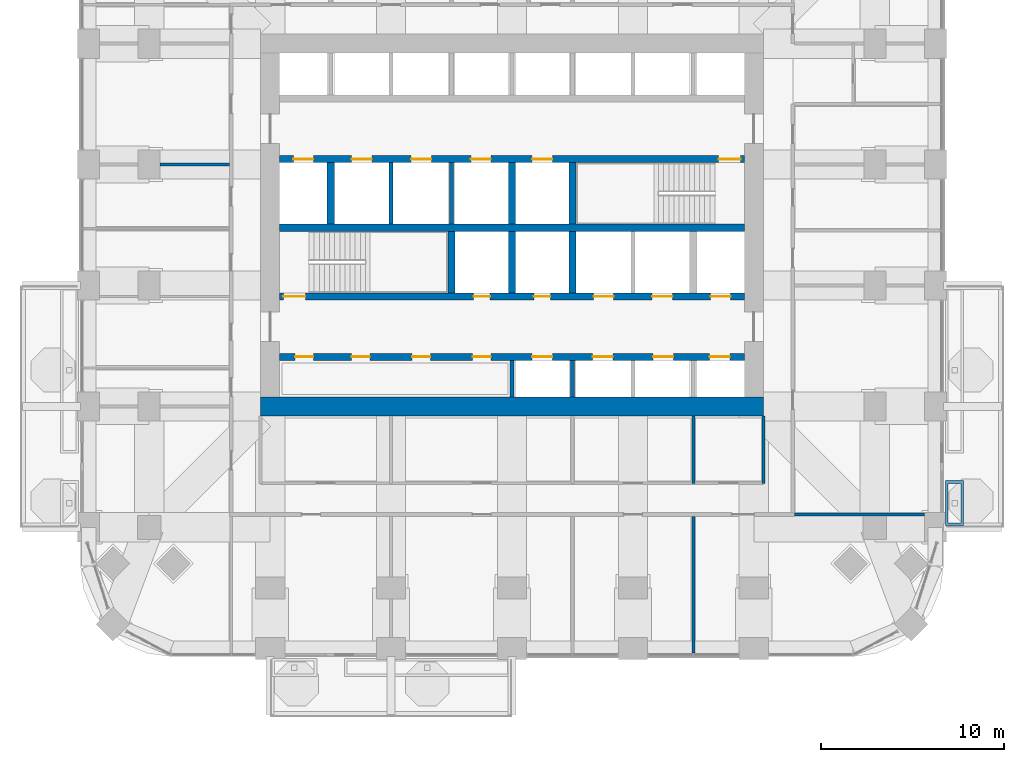
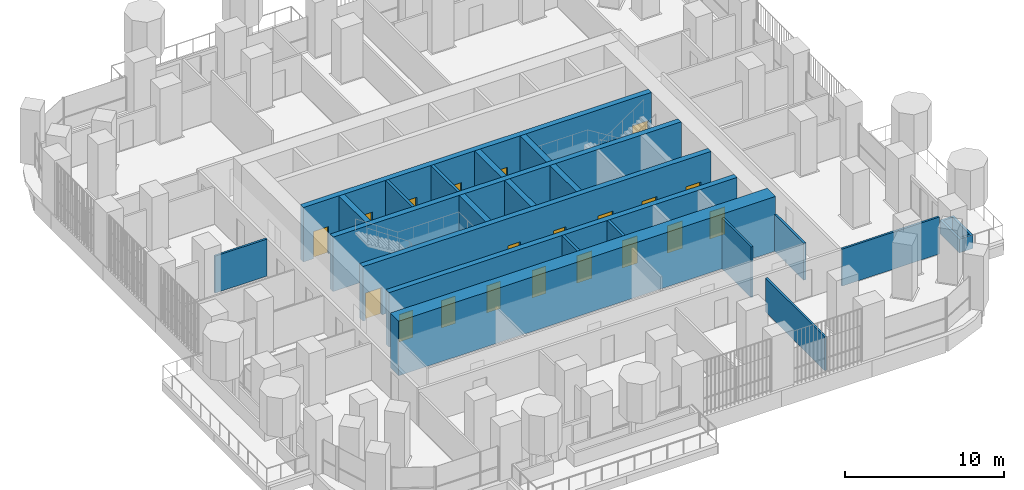
# One storey, part 14 of 21: 21 walls, 20 doors, 20 openings.
"""IFC4 building model written with IfcOpenShell, lengths in metres."""

import ifcopenshell
import ifcopenshell.guid

model = None  # the IFC model being written
_history = None  # IfcOwnerHistory: only IFC2X3 demands one
_inside = {}  # id of a spatial element -> (the spatial element, [elements in it])
_under = {}  # id of a project, library or spatial element -> (it, [spatial elements below it])
_declared = {}  # id of a project -> (the project, [libraries it declares])
_typed = {}  # id of a type object -> (the type object, [elements of that type])
_made_of = {}  # id of a material, layer set ... -> (it, [elements and type objects made of it])


def new_model(schema):
    """Start an empty IFC model of exactly this schema.

    Asked for "IFC4X3", IfcOpenShell would pick the latest addendum, in which some entities
    have other attributes; the version numbers below select the first issue.
    IFC2X3 requires an IfcOwnerHistory on every rooted entity: one is made here for all.
    """
    global model, _history
    if schema == "IFC4X3":
        model = ifcopenshell.file(schema_version=(4, 3, 0, 0))
    else:
        model = ifcopenshell.file(schema=schema)
    _inside.clear()
    _under.clear()
    _declared.clear()
    _typed.clear()
    _made_of.clear()
    _history = None
    if model.schema == "IFC2X3":
        org = make("IfcOrganization", Name="unknown")
        user = make(
            "IfcPersonAndOrganization",
            ThePerson=make("IfcPerson", FamilyName="unknown"),
            TheOrganization=org,
        )
        app = make(
            "IfcApplication",
            ApplicationDeveloper=org,
            Version="unknown",
            ApplicationFullName="unknown",
            ApplicationIdentifier="unknown",
        )
        _history = make(
            "IfcOwnerHistory",
            OwningUser=user,
            OwningApplication=app,
            ChangeAction="ADDED",
            CreationDate=0,
        )
    return model


def make(cls, **values):
    """One entity of the class cls with the attributes given. An attribute that is None is left unset."""
    return model.create_entity(
        cls, **{name: value for name, value in values.items() if value is not None}
    )


def rooted(cls, **values):
    """An entity with a GlobalId (a new one), such as an element, a storey or a relation."""
    return make(cls, GlobalId=ifcopenshell.guid.new(), OwnerHistory=_history, **values)


def si_unit(unit_type, name, prefix=None):
    """IfcSIUnit, for example si_unit("LENGTHUNIT", "METRE", prefix="MILLI")."""
    return make("IfcSIUnit", UnitType=unit_type, Prefix=prefix, Name=name)


def assignment(units):
    """IfcUnitAssignment: the units of a project."""
    return None if units is None else make("IfcUnitAssignment", Units=units)


def point(xyz):
    """IfcCartesianPoint."""
    return None if xyz is None else make("IfcCartesianPoint", Coordinates=xyz)


def direction(xyz):
    """IfcDirection."""
    return None if xyz is None else make("IfcDirection", DirectionRatios=xyz)


def frame(location, z_axis=None, x_axis=None):
    """IfcAxis2Placement3D, a coordinate frame: its origin and axes. An axis left out is left unset."""
    return make(
        "IfcAxis2Placement3D",
        Location=point(location),
        Axis=direction(z_axis),
        RefDirection=direction(x_axis),
    )


def frame_2d(location, x_axis=None):
    """IfcAxis2Placement2D, a coordinate frame in the plane: its origin and x axis."""
    return make(
        "IfcAxis2Placement2D", Location=point(location), RefDirection=direction(x_axis)
    )


def origin():
    """The frame at (0, 0, 0) with its axes left unset."""
    return frame((0.0, 0.0, 0.0))


def place(relative_to, where):
    """IfcLocalPlacement: puts the frame where relative to a parent placement (None: the world)."""
    return make(
        "IfcLocalPlacement", PlacementRelTo=relative_to, RelativePlacement=where
    )


def context(
    kind, dimensions, precision=None, world=None, true_north=None, identifier=None
):
    """IfcGeometricRepresentationContext, for example the 3D "Model" context."""
    return make(
        "IfcGeometricRepresentationContext",
        ContextIdentifier=identifier,
        ContextType=kind,
        CoordinateSpaceDimension=dimensions,
        Precision=precision,
        WorldCoordinateSystem=world,
        TrueNorth=true_north,
    )


def subcontext(parent, identifier, kind, view, scale=None):
    """IfcGeometricRepresentationSubContext, for example "Body" below "Model"."""
    return make(
        "IfcGeometricRepresentationSubContext",
        ContextIdentifier=identifier,
        ContextType=kind,
        ParentContext=parent,
        TargetScale=scale,
        TargetView=view,
    )


def project(units=None, contexts=None):
    """IfcProject with its units and contexts."""
    return rooted(
        "IfcProject",
        Name="project",
        RepresentationContexts=contexts,
        UnitsInContext=assignment(units),
    )


def spatial(cls, under=None, at=None, **own):
    """A site, building, storey or space (cls), placed at a placement, below another one or the project."""
    s = rooted(cls, ObjectPlacement=at, **own)
    if under is not None:
        _under.setdefault(under.id(), (under, []))[1].append(s)
    return s


def polyline(points):
    """IfcPolyline through the points."""
    return make("IfcPolyline", Points=[point(p) for p in points])


def profile(cls, at=None, kind="AREA", **sizes):
    """A parametric profile (cls). Its sizes go by their IFC names, for example OverallWidth=200.0."""
    return make(cls, ProfileType=kind, Position=at, **sizes)


def rectangle(**sizes):
    """IfcRectangleProfileDef."""
    return profile("IfcRectangleProfileDef", **sizes)


def outline(outer, holes=None, kind="AREA"):
    """IfcArbitraryClosedProfileDef: a profile drawn as a closed curve; with holes, ...WithVoids."""
    if holes is None:
        return make("IfcArbitraryClosedProfileDef", ProfileType=kind, OuterCurve=outer)
    return make(
        "IfcArbitraryProfileDefWithVoids",
        ProfileType=kind,
        OuterCurve=outer,
        InnerCurves=holes,
    )


def extrude(swept, where, along, depth):
    """IfcExtrudedAreaSolid: the profile swept, set in the frame where, extruded along a direction by depth."""
    return make(
        "IfcExtrudedAreaSolid",
        SweptArea=swept,
        Position=where,
        ExtrudedDirection=direction(along),
        Depth=depth,
    )


def shape(context_of_items, identifier, shape_type, items):
    """IfcShapeRepresentation: the items that make up one representation, for example the "Body"."""
    return make(
        "IfcShapeRepresentation",
        ContextOfItems=context_of_items,
        RepresentationIdentifier=identifier,
        RepresentationType=shape_type,
        Items=items,
    )


def material(Name=None, Category=None):
    """IfcMaterial."""
    return make("IfcMaterial", Name=Name, Category=Category)


def layer(
    of_material, thickness, ventilated=None, Name=None, Category=None, Priority=None
):
    """IfcMaterialLayer: one layer of a wall or slab, of a material (None: an air gap)."""
    return make(
        "IfcMaterialLayer",
        Material=of_material,
        LayerThickness=thickness,
        IsVentilated=ventilated,
        Name=Name,
        Category=Category,
        Priority=Priority,
    )


def layer_set(layers, Name=None):
    """IfcMaterialLayerSet."""
    return make("IfcMaterialLayerSet", MaterialLayers=layers, LayerSetName=Name)


def made_of(thing, what):
    """Note that an element or type object is made of a material, layer set ...; save() writes the relation."""
    if what is not None:
        _made_of.setdefault(what.id(), (what, []))[1].append(thing)
    return thing


def type_object(cls, material=None, **own):
    """A type object (cls), such as IfcWallType, which elements share."""
    return made_of(rooted(cls, **own), material)


def element(
    cls,
    number,
    at=None,
    inside=None,
    cuts=None,
    type_object=None,
    material=None,
    context=None,
    identifier="Body",
    shape_type=None,
    held_by="IfcProductDefinitionShape",
    body=None,
    shapes=None,
    **own,
):
    """One element of the class cls, such as IfcWall. Its Tag is "e" and its number.

    at: its placement. inside: the storey or other place that contains it. cuts: it is an
    opening in that element (IfcRelVoidsElement). A single representation is given by context,
    identifier, shape_type and body (its items); several are given by shapes. held_by: the class
    of the entity that holds the representations. save() writes the other relations.
    """
    e = rooted(cls, Tag="e%d" % number, ObjectPlacement=at, **own)
    if body is not None:
        shapes = [shape(context, identifier, shape_type, body)]
    if shapes is not None:
        e.Representation = make(held_by, Representations=shapes)
    if inside is not None:
        _inside.setdefault(inside.id(), (inside, []))[1].append(e)
    if cuts is not None:
        rooted(
            "IfcRelVoidsElement", RelatingBuildingElement=cuts, RelatedOpeningElement=e
        )
    if type_object is not None:
        _typed.setdefault(type_object.id(), (type_object, []))[1].append(e)
    return made_of(e, material)


def fill(opening, filler):
    """IfcRelFillsElement: the door or window that sits in an opening."""
    return rooted(
        "IfcRelFillsElement",
        RelatingOpeningElement=opening,
        RelatedBuildingElement=filler,
    )


def aggregate(whole, parts):
    """IfcRelAggregates: a whole, such as a stair, and the parts it consists of."""
    return rooted("IfcRelAggregates", RelatingObject=whole, RelatedObjects=parts)


def save(model, path):
    """Write the relations noted so far, then the file.

    IfcRelAggregates (storeys below a building ...), IfcRelContainedInSpatialStructure (elements
    in a storey), IfcRelDefinesByType, IfcRelAssociatesMaterial and IfcRelDeclares: one each for
    every whole, place, type object, material and project.
    """
    for whole, parts in _under.values():
        aggregate(whole, parts)
    for where, things in _inside.values():
        rooted(
            "IfcRelContainedInSpatialStructure",
            RelatedElements=things,
            RelatingStructure=where,
        )
    for kind, things in _typed.values():
        rooted("IfcRelDefinesByType", RelatedObjects=things, RelatingType=kind)
    for what, things in _made_of.values():
        rooted("IfcRelAssociatesMaterial", RelatedObjects=things, RelatingMaterial=what)
    for by, libraries in _declared.values():
        rooted("IfcRelDeclares", RelatingContext=by, RelatedDefinitions=libraries)
    model.write(path)


model = new_model("IFC4")

# Units and contexts
model_context = context("Model", 3, precision=1e-05, world=origin(), true_north=direction((0.0, 1.0)))
body_context = subcontext(model_context, "Body", "Model", "MODEL_VIEW")
ifc_project = project(units=[si_unit("LENGTHUNIT", "METRE"), si_unit("AREAUNIT", "SQUARE_METRE"), si_unit("VOLUMEUNIT", "CUBIC_METRE"), si_unit("PLANEANGLEUNIT", "RADIAN"), si_unit("MASSUNIT", "GRAM", prefix="KILO")], contexts=[model_context])

# Site, building, storey
site_placement = place(None, origin())
site = spatial("IfcSite", under=ifc_project, at=site_placement, CompositionType="ELEMENT")
building_placement = place(site_placement, origin())
building = spatial("IfcBuilding", under=site, at=building_placement, Name="Cobogo Forest Laboratory Tower", CompositionType="ELEMENT")
storey_placement = place(building_placement, frame((0.0, 0.0, 141.0)))
storey = spatial("IfcBuildingStorey", under=building, at=storey_placement, Name="L32", CompositionType="ELEMENT", Elevation=141.0)

# Wall, openings, doors
ifc_material_1 = material(Name="Concrete HA-50 (C50/60)", Category="concrete")
ifc_layer_1 = layer(ifc_material_1, 0.39990234375)
ifc_layer_set_1 = layer_set([ifc_layer_1], Name="CI400 core inner wall 400")
wall_type_1 = type_object("IfcWallType", Name="CI400 core inner wall 400", PredefinedType="SHEAR", material=ifc_layer_set_1)
wall_1_placement = place(storey_placement, frame((13.72509765625, 15.89990234375, 0.0), z_axis=(0.0, 0.0, 1.0), x_axis=(1.0, 0.0, 0.0)))
wall_1 = element("IfcWall", 1, at=wall_1_placement, inside=storey, type_object=wall_type_1, Name="Core wall CI-15.9 L32", PredefinedType="SHEAR", context=body_context, shape_type="SweptSolid", body=[
    extrude(rectangle(XDim=25.349853515625, YDim=0.39990234375, at=frame_2d((12.6748046875, 0.0))), origin(), (0.0, 0.0, 1.0), 4.199951171875),
])
opening_1_placement = place(wall_1_placement, frame((0.83740234375, 0.0, 0.0)))
opening_1 = element("IfcOpeningElement", 2, at=opening_1_placement, cuts=wall_1, Name="Opening L32-D15", PredefinedType="OPENING", context=body_context, shape_type="SweptSolid", body=[
    extrude(rectangle(XDim=1.0, YDim=2.10009765625, at=frame_2d((0.5, 1.050048828125))), frame((0.0, 0.2099609375, 0.0), z_axis=(0.0, -1.0, 0.0), x_axis=(1.0, 0.0, 0.0)), (0.0, 0.0, 1.0), 0.419921875),
])
opening_2_placement = place(wall_1_placement, frame((3.925048828125, 0.0, 0.0)))
opening_2 = element("IfcOpeningElement", 3, at=opening_2_placement, cuts=wall_1, Name="Opening L32-D16", PredefinedType="OPENING", context=body_context, shape_type="SweptSolid", body=[
    extrude(rectangle(XDim=1.0, YDim=2.10009765625, at=frame_2d((0.5, 1.050048828125))), frame((0.0, 0.2099609375, 0.0), z_axis=(0.0, -1.0, 0.0), x_axis=(1.0, 0.0, 0.0)), (0.0, 0.0, 1.0), 0.419921875),
])
opening_3_placement = place(wall_1_placement, frame((7.22509765625, 0.0, 0.0)))
opening_3 = element("IfcOpeningElement", 4, at=opening_3_placement, cuts=wall_1, Name="Opening L32-D17", PredefinedType="OPENING", context=body_context, shape_type="SweptSolid", body=[
    extrude(rectangle(XDim=1.0, YDim=2.10009765625, at=frame_2d((0.5, 1.050048828125))), frame((0.0, 0.2099609375, 0.0), z_axis=(0.0, -1.0, 0.0), x_axis=(1.0, 0.0, 0.0)), (0.0, 0.0, 1.0), 0.419921875),
])
opening_4_placement = place(wall_1_placement, frame((10.52490234375, 0.0, 0.0)))
opening_4 = element("IfcOpeningElement", 5, at=opening_4_placement, cuts=wall_1, Name="Opening L32-D18", PredefinedType="OPENING", context=body_context, shape_type="SweptSolid", body=[
    extrude(rectangle(XDim=1.0, YDim=2.10009765625, at=frame_2d((0.5, 1.050048828125))), frame((0.0, 0.2099609375, 0.0), z_axis=(0.0, -1.0, 0.0), x_axis=(1.0, 0.0, 0.0)), (0.0, 0.0, 1.0), 0.419921875),
])
opening_5_placement = place(wall_1_placement, frame((13.77490234375, 0.0, 0.0)))
opening_5 = element("IfcOpeningElement", 6, at=opening_5_placement, cuts=wall_1, Name="Opening L32-LD-LB1", PredefinedType="OPENING", context=body_context, shape_type="SweptSolid", body=[
    extrude(rectangle(XDim=1.10009765625, YDim=2.10009765625, at=frame_2d((0.550048828125, 1.050048828125))), frame((0.0, 0.2099609375, 0.0), z_axis=(0.0, -1.0, 0.0), x_axis=(1.0, 0.0, 0.0)), (0.0, 0.0, 1.0), 0.419921875),
])
opening_6_placement = place(wall_1_placement, frame((17.074951171875, 0.0, 0.0)))
opening_6 = element("IfcOpeningElement", 7, at=opening_6_placement, cuts=wall_1, Name="Opening L32-LD-LB2", PredefinedType="OPENING", context=body_context, shape_type="SweptSolid", body=[
    extrude(rectangle(XDim=1.10009765625, YDim=2.10009765625, at=frame_2d((0.550048828125, 1.050048828125))), frame((0.0, 0.2099609375, 0.0), z_axis=(0.0, -1.0, 0.0), x_axis=(1.0, 0.0, 0.0)), (0.0, 0.0, 1.0), 0.419921875),
])
opening_7_placement = place(wall_1_placement, frame((20.375, 0.0, 0.0)))
opening_7 = element("IfcOpeningElement", 8, at=opening_7_placement, cuts=wall_1, Name="Opening L32-LD-LB3", PredefinedType="OPENING", context=body_context, shape_type="SweptSolid", body=[
    extrude(rectangle(XDim=1.10009765625, YDim=2.10009765625, at=frame_2d((0.550048828125, 1.050048828125))), frame((0.0, 0.2099609375, 0.0), z_axis=(0.0, -1.0, 0.0), x_axis=(1.0, 0.0, 0.0)), (0.0, 0.0, 1.0), 0.419921875),
])
opening_8_placement = place(wall_1_placement, frame((23.46240234375, 0.0, 0.0)))
opening_8 = element("IfcOpeningElement", 9, at=opening_8_placement, cuts=wall_1, Name="Opening L32-LD-LB4", PredefinedType="OPENING", context=body_context, shape_type="SweptSolid", body=[
    extrude(rectangle(XDim=1.10009765625, YDim=2.10009765625, at=frame_2d((0.550048828125, 1.050048828125))), frame((0.0, 0.2099609375, 0.0), z_axis=(0.0, -1.0, 0.0), x_axis=(1.0, 0.0, 0.0)), (0.0, 0.0, 1.0), 0.419921875),
])
ifc_material_2 = material(Name="Steel fire door", Category="steel")
door_type_1 = type_object("IfcDoorType", Name="FD1 fire door 1000 EI2 60", OperationType="SINGLE_SWING_LEFT", PredefinedType="DOOR", material=ifc_material_2)
door_1_placement = place(opening_1_placement, origin())
door_1 = element("IfcDoor", 10, at=door_1_placement, inside=storey, type_object=door_type_1, Name="Door L32-SH-LA1", OperationType="SINGLE_SWING_LEFT", OverallHeight=2.10009765625, OverallWidth=1.0, PredefinedType="DOOR", context=body_context, shape_type="SweptSolid", body=[
    extrude(rectangle(XDim=1.0, YDim=2.10009765625, at=frame_2d((0.5, 1.050048828125))), frame((0.0, 0.02490234375, 0.0), z_axis=(0.0, -1.0, 0.0), x_axis=(1.0, 0.0, 0.0)), (0.0, 0.0, 1.0), 0.050048828125),
])
fill(opening_1, door_1)
door_2_placement = place(opening_2_placement, origin())
door_2 = element("IfcDoor", 11, at=door_2_placement, inside=storey, type_object=door_type_1, Name="Door L32-SH-LA2", OperationType="SINGLE_SWING_LEFT", OverallHeight=2.10009765625, OverallWidth=1.0, PredefinedType="DOOR", context=body_context, shape_type="SweptSolid", body=[
    extrude(rectangle(XDim=1.0, YDim=2.10009765625, at=frame_2d((0.5, 1.050048828125))), frame((0.0, 0.02490234375, 0.0), z_axis=(0.0, -1.0, 0.0), x_axis=(1.0, 0.0, 0.0)), (0.0, 0.0, 1.0), 0.050048828125),
])
fill(opening_2, door_2)
door_3_placement = place(opening_3_placement, origin())
door_3 = element("IfcDoor", 12, at=door_3_placement, inside=storey, type_object=door_type_1, Name="Door L32-SH-LA3", OperationType="SINGLE_SWING_LEFT", OverallHeight=2.10009765625, OverallWidth=1.0, PredefinedType="DOOR", context=body_context, shape_type="SweptSolid", body=[
    extrude(rectangle(XDim=1.0, YDim=2.10009765625, at=frame_2d((0.5, 1.050048828125))), frame((0.0, 0.02490234375, 0.0), z_axis=(0.0, -1.0, 0.0), x_axis=(1.0, 0.0, 0.0)), (0.0, 0.0, 1.0), 0.050048828125),
])
fill(opening_3, door_3)
door_4_placement = place(opening_4_placement, origin())
door_4 = element("IfcDoor", 13, at=door_4_placement, inside=storey, type_object=door_type_1, Name="Door L32-SH-LA4", OperationType="SINGLE_SWING_LEFT", OverallHeight=2.10009765625, OverallWidth=1.0, PredefinedType="DOOR", context=body_context, shape_type="SweptSolid", body=[
    extrude(rectangle(XDim=1.0, YDim=2.10009765625, at=frame_2d((0.5, 1.050048828125))), frame((0.0, 0.02490234375, 0.0), z_axis=(0.0, -1.0, 0.0), x_axis=(1.0, 0.0, 0.0)), (0.0, 0.0, 1.0), 0.050048828125),
])
fill(opening_4, door_4)
ifc_material_3 = material(Name="Stainless steel lift door", Category="steel")
door_type_2 = type_object("IfcDoorType", Name="LD lift landing door 1100", OperationType="DOUBLE_DOOR_SLIDING", PredefinedType="DOOR", material=ifc_material_3)
door_5_placement = place(opening_5_placement, origin())
door_5 = element("IfcDoor", 14, at=door_5_placement, inside=storey, type_object=door_type_2, Name="Lift landing door LB1 L32", OperationType="DOUBLE_DOOR_SLIDING", OverallHeight=2.10009765625, OverallWidth=1.10009765625, PredefinedType="DOOR", context=body_context, shape_type="SweptSolid", body=[
    extrude(rectangle(XDim=1.10009765625, YDim=2.10009765625, at=frame_2d((0.550048828125, 1.050048828125))), frame((0.0, 0.02490234375, 0.0), z_axis=(0.0, -1.0, 0.0), x_axis=(1.0, 0.0, 0.0)), (0.0, 0.0, 1.0), 0.050048828125),
])
fill(opening_5, door_5)
door_6_placement = place(opening_6_placement, origin())
door_6 = element("IfcDoor", 15, at=door_6_placement, inside=storey, type_object=door_type_2, Name="Lift landing door LB2 L32", OperationType="DOUBLE_DOOR_SLIDING", OverallHeight=2.10009765625, OverallWidth=1.10009765625, PredefinedType="DOOR", context=body_context, shape_type="SweptSolid", body=[
    extrude(rectangle(XDim=1.10009765625, YDim=2.10009765625, at=frame_2d((0.550048828125, 1.050048828125))), frame((0.0, 0.02490234375, 0.0), z_axis=(0.0, -1.0, 0.0), x_axis=(1.0, 0.0, 0.0)), (0.0, 0.0, 1.0), 0.050048828125),
])
fill(opening_6, door_6)
door_7_placement = place(opening_7_placement, origin())
door_7 = element("IfcDoor", 16, at=door_7_placement, inside=storey, type_object=door_type_2, Name="Lift landing door LB3 L32", OperationType="DOUBLE_DOOR_SLIDING", OverallHeight=2.10009765625, OverallWidth=1.10009765625, PredefinedType="DOOR", context=body_context, shape_type="SweptSolid", body=[
    extrude(rectangle(XDim=1.10009765625, YDim=2.10009765625, at=frame_2d((0.550048828125, 1.050048828125))), frame((0.0, 0.02490234375, 0.0), z_axis=(0.0, -1.0, 0.0), x_axis=(1.0, 0.0, 0.0)), (0.0, 0.0, 1.0), 0.050048828125),
])
fill(opening_7, door_7)
door_8_placement = place(opening_8_placement, origin())
door_8 = element("IfcDoor", 17, at=door_8_placement, inside=storey, type_object=door_type_2, Name="Lift landing door LB4 L32", OperationType="DOUBLE_DOOR_SLIDING", OverallHeight=2.10009765625, OverallWidth=1.10009765625, PredefinedType="DOOR", context=body_context, shape_type="SweptSolid", body=[
    extrude(rectangle(XDim=1.10009765625, YDim=2.10009765625, at=frame_2d((0.550048828125, 1.050048828125))), frame((0.0, 0.02490234375, 0.0), z_axis=(0.0, -1.0, 0.0), x_axis=(1.0, 0.0, 0.0)), (0.0, 0.0, 1.0), 0.050048828125),
])
fill(opening_8, door_8)

wall_2_placement = place(storey_placement, frame((13.72509765625, 19.199951171875, 0.0), z_axis=(0.0, 0.0, 1.0), x_axis=(1.0, 0.0, 0.0)))
wall_2 = element("IfcWall", 18, at=wall_2_placement, inside=storey, type_object=wall_type_1, Name="Core wall CI-19.2 L32", PredefinedType="SHEAR", context=body_context, shape_type="SweptSolid", body=[
    extrude(rectangle(XDim=25.349853515625, YDim=0.39990234375, at=frame_2d((12.6748046875, 0.0))), origin(), (0.0, 0.0, 1.0), 4.199951171875),
])
opening_9_placement = place(wall_2_placement, frame((10.574951171875, 0.0, 0.0)))
opening_9 = element("IfcOpeningElement", 19, at=opening_9_placement, cuts=wall_2, Name="Opening L32-D23", PredefinedType="OPENING", context=body_context, shape_type="SweptSolid", body=[
    extrude(rectangle(XDim=0.89990234375, YDim=2.10009765625, at=frame_2d((0.449951171875, 1.050048828125))), frame((0.0, 0.2099609375, 0.0), z_axis=(0.0, -1.0, 0.0), x_axis=(1.0, 0.0, 0.0)), (0.0, 0.0, 1.0), 0.419921875),
])
opening_10_placement = place(wall_2_placement, frame((13.875, 0.0, 0.0)))
opening_10 = element("IfcOpeningElement", 20, at=opening_10_placement, cuts=wall_2, Name="Opening L32-D24", PredefinedType="OPENING", context=body_context, shape_type="SweptSolid", body=[
    extrude(rectangle(XDim=0.89990234375, YDim=2.10009765625, at=frame_2d((0.449951171875, 1.050048828125))), frame((0.0, 0.2099609375, 0.0), z_axis=(0.0, -1.0, 0.0), x_axis=(1.0, 0.0, 0.0)), (0.0, 0.0, 1.0), 0.419921875),
])
opening_11_placement = place(wall_2_placement, frame((0.199951171875, 0.0, 0.0)))
opening_11 = element("IfcOpeningElement", 21, at=opening_11_placement, cuts=wall_2, Name="Opening L32-D22", PredefinedType="OPENING", context=body_context, shape_type="SweptSolid", body=[
    extrude(rectangle(XDim=1.199951171875, YDim=2.10009765625, at=frame_2d((0.60009765625, 1.050048828125))), frame((0.0, 0.2099609375, 0.0), z_axis=(0.0, -1.0, 0.0), x_axis=(1.0, 0.0, 0.0)), (0.0, 0.0, 1.0), 0.419921875),
])
opening_12_placement = place(wall_2_placement, frame((23.512451171875, 0.0, 0.0)))
opening_12 = element("IfcOpeningElement", 22, at=opening_12_placement, cuts=wall_2, Name="Opening L32-LD-FL2", PredefinedType="OPENING", context=body_context, shape_type="SweptSolid", body=[
    extrude(rectangle(XDim=1.10009765625, YDim=2.10009765625, at=frame_2d((0.550048828125, 1.050048828125))), frame((0.0, 0.2099609375, 0.0), z_axis=(0.0, -1.0, 0.0), x_axis=(1.0, 0.0, 0.0)), (0.0, 0.0, 1.0), 0.419921875),
])
opening_13_placement = place(wall_2_placement, frame((17.125, 0.0, 0.0)))
opening_13 = element("IfcOpeningElement", 23, at=opening_13_placement, cuts=wall_2, Name="Opening L32-LD-LS1", PredefinedType="OPENING", context=body_context, shape_type="SweptSolid", body=[
    extrude(rectangle(XDim=1.10009765625, YDim=2.10009765625, at=frame_2d((0.550048828125, 1.050048828125))), frame((0.0, 0.2099609375, 0.0), z_axis=(0.0, -1.0, 0.0), x_axis=(1.0, 0.0, 0.0)), (0.0, 0.0, 1.0), 0.419921875),
])
opening_14_placement = place(wall_2_placement, frame((20.324951171875, 0.0, 0.0)))
opening_14 = element("IfcOpeningElement", 24, at=opening_14_placement, cuts=wall_2, Name="Opening L32-LD-LS2", PredefinedType="OPENING", context=body_context, shape_type="SweptSolid", body=[
    extrude(rectangle(XDim=1.10009765625, YDim=2.10009765625, at=frame_2d((0.550048828125, 1.050048828125))), frame((0.0, 0.2099609375, 0.0), z_axis=(0.0, -1.0, 0.0), x_axis=(1.0, 0.0, 0.0)), (0.0, 0.0, 1.0), 0.419921875),
])
door_type_3 = type_object("IfcDoorType", Name="DS1 protected stair door 1200 EI2 60", OperationType="SINGLE_SWING_LEFT", PredefinedType="DOOR", material=ifc_material_2)
door_9_placement = place(opening_11_placement, origin())
door_9 = element("IfcDoor", 25, at=door_9_placement, inside=storey, type_object=door_type_3, Name="Door L32-ST1", OperationType="SINGLE_SWING_LEFT", OverallHeight=2.10009765625, OverallWidth=1.199951171875, PredefinedType="DOOR", context=body_context, shape_type="SweptSolid", body=[
    extrude(rectangle(XDim=1.199951171875, YDim=2.10009765625, at=frame_2d((0.60009765625, 1.050048828125))), frame((0.0, 0.02490234375, 0.0), z_axis=(0.0, -1.0, 0.0), x_axis=(1.0, 0.0, 0.0)), (0.0, 0.0, 1.0), 0.050048828125),
])
fill(opening_11, door_9)
door_type_4 = type_object("IfcDoorType", Name="FD4 riser access door 900 EI2 60", OperationType="SINGLE_SWING_LEFT", PredefinedType="DOOR", material=ifc_material_2)
door_10_placement = place(opening_9_placement, origin())
door_10 = element("IfcDoor", 26, at=door_10_placement, inside=storey, type_object=door_type_4, Name="Door L32-R1", OperationType="SINGLE_SWING_LEFT", OverallHeight=2.10009765625, OverallWidth=0.89990234375, PredefinedType="DOOR", context=body_context, shape_type="SweptSolid", body=[
    extrude(rectangle(XDim=0.89990234375, YDim=2.10009765625, at=frame_2d((0.449951171875, 1.050048828125))), frame((0.0, 0.02490234375, 0.0), z_axis=(0.0, -1.0, 0.0), x_axis=(1.0, 0.0, 0.0)), (0.0, 0.0, 1.0), 0.050048828125),
])
fill(opening_9, door_10)
door_11_placement = place(opening_10_placement, origin())
door_11 = element("IfcDoor", 27, at=door_11_placement, inside=storey, type_object=door_type_4, Name="Door L32-R2", OperationType="SINGLE_SWING_RIGHT", OverallHeight=2.10009765625, OverallWidth=0.89990234375, PredefinedType="DOOR", context=body_context, shape_type="SweptSolid", body=[
    extrude(rectangle(XDim=0.89990234375, YDim=2.10009765625, at=frame_2d((0.449951171875, 1.050048828125))), frame((0.0, 0.02490234375, 0.0), z_axis=(0.0, -1.0, 0.0), x_axis=(1.0, 0.0, 0.0)), (0.0, 0.0, 1.0), 0.050048828125),
])
fill(opening_10, door_11)
door_12_placement = place(opening_12_placement, origin())
door_12 = element("IfcDoor", 28, at=door_12_placement, inside=storey, type_object=door_type_2, Name="Lift landing door FL2 L32", OperationType="DOUBLE_DOOR_SLIDING", OverallHeight=2.10009765625, OverallWidth=1.10009765625, PredefinedType="DOOR", context=body_context, shape_type="SweptSolid", body=[
    extrude(rectangle(XDim=1.10009765625, YDim=2.10009765625, at=frame_2d((0.550048828125, 1.050048828125))), frame((0.0, 0.02490234375, 0.0), z_axis=(0.0, -1.0, 0.0), x_axis=(1.0, 0.0, 0.0)), (0.0, 0.0, 1.0), 0.050048828125),
])
fill(opening_12, door_12)
door_13_placement = place(opening_13_placement, origin())
door_13 = element("IfcDoor", 29, at=door_13_placement, inside=storey, type_object=door_type_2, Name="Lift landing door LS1 L32", OperationType="DOUBLE_DOOR_SLIDING", OverallHeight=2.10009765625, OverallWidth=1.10009765625, PredefinedType="DOOR", context=body_context, shape_type="SweptSolid", body=[
    extrude(rectangle(XDim=1.10009765625, YDim=2.10009765625, at=frame_2d((0.550048828125, 1.050048828125))), frame((0.0, 0.02490234375, 0.0), z_axis=(0.0, -1.0, 0.0), x_axis=(1.0, 0.0, 0.0)), (0.0, 0.0, 1.0), 0.050048828125),
])
fill(opening_13, door_13)
door_14_placement = place(opening_14_placement, origin())
door_14 = element("IfcDoor", 30, at=door_14_placement, inside=storey, type_object=door_type_2, Name="Lift landing door LS2 L32", OperationType="DOUBLE_DOOR_SLIDING", OverallHeight=2.10009765625, OverallWidth=1.10009765625, PredefinedType="DOOR", context=body_context, shape_type="SweptSolid", body=[
    extrude(rectangle(XDim=1.10009765625, YDim=2.10009765625, at=frame_2d((0.550048828125, 1.050048828125))), frame((0.0, 0.02490234375, 0.0), z_axis=(0.0, -1.0, 0.0), x_axis=(1.0, 0.0, 0.0)), (0.0, 0.0, 1.0), 0.050048828125),
])
fill(opening_14, door_14)

# Wall
wall_3_placement = place(storey_placement, frame((13.72509765625, 22.949951171875, 0.0), z_axis=(0.0, 0.0, 1.0), x_axis=(1.0, 0.0, 0.0)))
element("IfcWall", 31, at=wall_3_placement, inside=storey, type_object=wall_type_1, Name="Core wall CI-22.95 L32", PredefinedType="SHEAR", context=body_context, shape_type="SweptSolid", body=[
    extrude(rectangle(XDim=25.349853515625, YDim=0.39990234375, at=frame_2d((12.6748046875, 0.0))), origin(), (0.0, 0.0, 1.0), 4.199951171875),
])

# Wall, openings, doors
wall_4_placement = place(storey_placement, frame((13.72509765625, 26.699951171875, 0.0), z_axis=(0.0, 0.0, 1.0), x_axis=(1.0, 0.0, 0.0)))
wall_4 = element("IfcWall", 32, at=wall_4_placement, inside=storey, type_object=wall_type_1, Name="Core wall CI-26.7 L32", PredefinedType="SHEAR", context=body_context, shape_type="SweptSolid", body=[
    extrude(rectangle(XDim=25.349853515625, YDim=0.39990234375, at=frame_2d((12.6748046875, 0.0))), origin(), (0.0, 0.0, 1.0), 4.199951171875),
])
opening_15_placement = place(wall_4_placement, frame((23.949951171875, 0.0, 0.0)))
opening_15 = element("IfcOpeningElement", 33, at=opening_15_placement, cuts=wall_4, Name="Opening L32-D29", PredefinedType="OPENING", context=body_context, shape_type="SweptSolid", body=[
    extrude(rectangle(XDim=1.199951171875, YDim=2.10009765625, at=frame_2d((0.60009765625, 1.050048828125))), frame((0.0, 0.2099609375, 0.0), z_axis=(0.0, -1.0, 0.0), x_axis=(1.0, 0.0, 0.0)), (0.0, 0.0, 1.0), 0.419921875),
])
opening_16_placement = place(wall_4_placement, frame((0.737548828125, 0.0, 0.0)))
opening_16 = element("IfcOpeningElement", 34, at=opening_16_placement, cuts=wall_4, Name="Opening L32-LD-FL1", PredefinedType="OPENING", context=body_context, shape_type="SweptSolid", body=[
    extrude(rectangle(XDim=1.10009765625, YDim=2.10009765625, at=frame_2d((0.550048828125, 1.050048828125))), frame((0.0, 0.2099609375, 0.0), z_axis=(0.0, -1.0, 0.0), x_axis=(1.0, 0.0, 0.0)), (0.0, 0.0, 1.0), 0.419921875),
])
opening_17_placement = place(wall_4_placement, frame((3.925048828125, 0.0, 0.0)))
opening_17 = element("IfcOpeningElement", 35, at=opening_17_placement, cuts=wall_4, Name="Opening L32-LD-LS3", PredefinedType="OPENING", context=body_context, shape_type="SweptSolid", body=[
    extrude(rectangle(XDim=1.10009765625, YDim=2.10009765625, at=frame_2d((0.550048828125, 1.050048828125))), frame((0.0, 0.2099609375, 0.0), z_axis=(0.0, -1.0, 0.0), x_axis=(1.0, 0.0, 0.0)), (0.0, 0.0, 1.0), 0.419921875),
])
opening_18_placement = place(wall_4_placement, frame((7.175048828125, 0.0, 0.0)))
opening_18 = element("IfcOpeningElement", 36, at=opening_18_placement, cuts=wall_4, Name="Opening L32-LD-LS4", PredefinedType="OPENING", context=body_context, shape_type="SweptSolid", body=[
    extrude(rectangle(XDim=1.10009765625, YDim=2.10009765625, at=frame_2d((0.550048828125, 1.050048828125))), frame((0.0, 0.2099609375, 0.0), z_axis=(0.0, -1.0, 0.0), x_axis=(1.0, 0.0, 0.0)), (0.0, 0.0, 1.0), 0.419921875),
])
opening_19_placement = place(wall_4_placement, frame((10.425048828125, 0.0, 0.0)))
opening_19 = element("IfcOpeningElement", 37, at=opening_19_placement, cuts=wall_4, Name="Opening L32-LD-LS5", PredefinedType="OPENING", context=body_context, shape_type="SweptSolid", body=[
    extrude(rectangle(XDim=1.10009765625, YDim=2.10009765625, at=frame_2d((0.550048828125, 1.050048828125))), frame((0.0, 0.2099609375, 0.0), z_axis=(0.0, -1.0, 0.0), x_axis=(1.0, 0.0, 0.0)), (0.0, 0.0, 1.0), 0.419921875),
])
opening_20_placement = place(wall_4_placement, frame((13.77490234375, 0.0, 0.0)))
opening_20 = element("IfcOpeningElement", 38, at=opening_20_placement, cuts=wall_4, Name="Opening L32-LD-LS6", PredefinedType="OPENING", context=body_context, shape_type="SweptSolid", body=[
    extrude(rectangle(XDim=1.10009765625, YDim=2.10009765625, at=frame_2d((0.550048828125, 1.050048828125))), frame((0.0, 0.2099609375, 0.0), z_axis=(0.0, -1.0, 0.0), x_axis=(1.0, 0.0, 0.0)), (0.0, 0.0, 1.0), 0.419921875),
])
door_15_placement = place(opening_15_placement, origin())
door_15 = element("IfcDoor", 39, at=door_15_placement, inside=storey, type_object=door_type_3, Name="Door L32-ST2", OperationType="SINGLE_SWING_RIGHT", OverallHeight=2.10009765625, OverallWidth=1.199951171875, PredefinedType="DOOR", context=body_context, shape_type="SweptSolid", body=[
    extrude(rectangle(XDim=1.199951171875, YDim=2.10009765625, at=frame_2d((0.60009765625, 1.050048828125))), frame((0.0, 0.02490234375, 0.0), z_axis=(0.0, -1.0, 0.0), x_axis=(1.0, 0.0, 0.0)), (0.0, 0.0, 1.0), 0.050048828125),
])
fill(opening_15, door_15)
door_16_placement = place(opening_16_placement, origin())
door_16 = element("IfcDoor", 40, at=door_16_placement, inside=storey, type_object=door_type_2, Name="Lift landing door FL1 L32", OperationType="DOUBLE_DOOR_SLIDING", OverallHeight=2.10009765625, OverallWidth=1.10009765625, PredefinedType="DOOR", context=body_context, shape_type="SweptSolid", body=[
    extrude(rectangle(XDim=1.10009765625, YDim=2.10009765625, at=frame_2d((0.550048828125, 1.050048828125))), frame((0.0, 0.02490234375, 0.0), z_axis=(0.0, -1.0, 0.0), x_axis=(1.0, 0.0, 0.0)), (0.0, 0.0, 1.0), 0.050048828125),
])
fill(opening_16, door_16)
door_17_placement = place(opening_17_placement, origin())
door_17 = element("IfcDoor", 41, at=door_17_placement, inside=storey, type_object=door_type_2, Name="Lift landing door LS3 L32", OperationType="DOUBLE_DOOR_SLIDING", OverallHeight=2.10009765625, OverallWidth=1.10009765625, PredefinedType="DOOR", context=body_context, shape_type="SweptSolid", body=[
    extrude(rectangle(XDim=1.10009765625, YDim=2.10009765625, at=frame_2d((0.550048828125, 1.050048828125))), frame((0.0, 0.02490234375, 0.0), z_axis=(0.0, -1.0, 0.0), x_axis=(1.0, 0.0, 0.0)), (0.0, 0.0, 1.0), 0.050048828125),
])
fill(opening_17, door_17)
door_18_placement = place(opening_18_placement, origin())
door_18 = element("IfcDoor", 42, at=door_18_placement, inside=storey, type_object=door_type_2, Name="Lift landing door LS4 L32", OperationType="DOUBLE_DOOR_SLIDING", OverallHeight=2.10009765625, OverallWidth=1.10009765625, PredefinedType="DOOR", context=body_context, shape_type="SweptSolid", body=[
    extrude(rectangle(XDim=1.10009765625, YDim=2.10009765625, at=frame_2d((0.550048828125, 1.050048828125))), frame((0.0, 0.02490234375, 0.0), z_axis=(0.0, -1.0, 0.0), x_axis=(1.0, 0.0, 0.0)), (0.0, 0.0, 1.0), 0.050048828125),
])
fill(opening_18, door_18)
door_19_placement = place(opening_19_placement, origin())
door_19 = element("IfcDoor", 43, at=door_19_placement, inside=storey, type_object=door_type_2, Name="Lift landing door LS5 L32", OperationType="DOUBLE_DOOR_SLIDING", OverallHeight=2.10009765625, OverallWidth=1.10009765625, PredefinedType="DOOR", context=body_context, shape_type="SweptSolid", body=[
    extrude(rectangle(XDim=1.10009765625, YDim=2.10009765625, at=frame_2d((0.550048828125, 1.050048828125))), frame((0.0, 0.02490234375, 0.0), z_axis=(0.0, -1.0, 0.0), x_axis=(1.0, 0.0, 0.0)), (0.0, 0.0, 1.0), 0.050048828125),
])
fill(opening_19, door_19)
door_20_placement = place(opening_20_placement, origin())
door_20 = element("IfcDoor", 44, at=door_20_placement, inside=storey, type_object=door_type_2, Name="Lift landing door LS6 L32", OperationType="DOUBLE_DOOR_SLIDING", OverallHeight=2.10009765625, OverallWidth=1.10009765625, PredefinedType="DOOR", context=body_context, shape_type="SweptSolid", body=[
    extrude(rectangle(XDim=1.10009765625, YDim=2.10009765625, at=frame_2d((0.550048828125, 1.050048828125))), frame((0.0, 0.02490234375, 0.0), z_axis=(0.0, -1.0, 0.0), x_axis=(1.0, 0.0, 0.0)), (0.0, 0.0, 1.0), 0.050048828125),
])
fill(opening_20, door_20)

# Walls
for number, where, z_axis, x_axis, name in (
    (45, (23.10009765625, 19.39990234375, 0.0), (0.0, 0.0, 1.0), (0.0, 1.0, 0.0), "Core wall CX-23.1 L32"),
    (46, (26.39990234375, 19.39990234375, 0.0), (0.0, 0.0, 1.0), (0.0, 1.0, 0.0), "Core wall CX-26.4S L32"),
    (47, (29.699951171875, 19.39990234375, 0.0), (0.0, 0.0, 1.0), (0.0, 1.0, 0.0), "Core wall CX-29.7S L32"),
    (48, (16.5, 23.14990234375, 0.0), (0.0, 0.0, 1.0), (0.0, 1.0, 0.0), "Core wall CX-16.5 L32"),
    (49, (26.39990234375, 23.14990234375, 0.0), (0.0, 0.0, 1.0), (0.0, 1.0, 0.0), "Core wall CX-26.4N L32"),
    (50, (29.699951171875, 23.14990234375, 0.0), (0.0, 0.0, 1.0), (0.0, 1.0, 0.0), "Core wall CX-29.7N L32"),
):
    element("IfcWall", number, at=place(storey_placement, frame(where, z_axis=z_axis, x_axis=x_axis)), inside=storey, type_object=wall_type_1, Name=name, PredefinedType="SHEAR", context=body_context, shape_type="SweptSolid", body=[
        extrude(rectangle(XDim=3.35009765625, YDim=0.39990234375, at=frame_2d((1.675048828125, 0.0))), origin(), (0.0, 0.0, 1.0), 4.199951171875),
    ])
ifc_layer_2 = layer(ifc_material_1, 1.050048828125)
ifc_layer_set_2 = layer_set([ifc_layer_2], Name="CW1050 core outer wall 1050")
wall_type_2 = type_object("IfcWallType", Name="CW1050 core outer wall 1050", PredefinedType="SHEAR", material=ifc_layer_set_2)
wall_5_placement = place(storey_placement, frame((12.675048828125, 13.199951171875, 0.0), z_axis=(0.0, 0.0, 1.0), x_axis=(1.0, 0.0, 0.0)))
element("IfcWall", 51, at=wall_5_placement, inside=storey, type_object=wall_type_2, Name="Core wall CO-S L32", PredefinedType="SHEAR", context=body_context, shape_type="SweptSolid", body=[
    extrude(rectangle(XDim=27.449951171875, YDim=1.050048828125, at=frame_2d((13.72509765625, 0.0))), origin(), (0.0, 0.0, 1.0), 4.199951171875),
])
ifc_material_4 = material(Name="Gypsum board on steel studs", Category="steel")
ifc_layer_3 = layer(ifc_material_4, 0.14990234375)
ifc_layer_set_3 = layer_set([ifc_layer_3], Name="PT1 laboratory partition 150")
wall_type_3 = type_object("IfcWallType", Name="PT1 laboratory partition 150", PredefinedType="PARTITIONING", material=ifc_layer_set_3)
wall_6_placement = place(storey_placement, frame((40.125, 12.675048828125, 0.0), z_axis=(0.0, 0.0, 1.0), x_axis=(0.0, -1.0, 0.0)))
element("IfcWall", 52, at=wall_6_placement, inside=storey, type_object=wall_type_3, Name="Partition CSTRIP-SE L32", PredefinedType="PARTITIONING", context=body_context, shape_type="SweptSolid", body=[
    extrude(rectangle(XDim=3.675048828125, YDim=0.14990234375, at=frame_2d((1.83740234375, 0.0))), origin(), (0.0, 0.0, 1.0), 2.85009765625),
])
wall_7_placement = place(storey_placement, frame((36.300048828125, 12.675048828125, 0.0), z_axis=(0.0, 0.0, 1.0), x_axis=(0.0, -1.0, 0.0)))
element("IfcWall", 53, at=wall_7_placement, inside=storey, type_object=wall_type_3, Name="Partition CSTRIP-S36.3 L32", PredefinedType="PARTITIONING", context=body_context, shape_type="SweptSolid", body=[
    extrude(rectangle(XDim=3.675048828125, YDim=0.14990234375, at=frame_2d((1.83740234375, 0.0))), origin(), (0.0, 0.0, 1.0), 3.89990234375),
])
wall_8_placement = place(storey_placement, frame((48.89990234375, 7.300048828125, 0.0), z_axis=(0.0, 0.0, 1.0), x_axis=(-1.0, 0.0, 0.0)))
element("IfcWall", 54, at=wall_8_placement, inside=storey, type_object=wall_type_3, Name="Partition PW-SE L32", PredefinedType="PARTITIONING", context=body_context, shape_type="SweptSolid", body=[
    extrude(rectangle(XDim=7.074951171875, YDim=0.14990234375, at=frame_2d((3.53759765625, 0.0))), origin(), (0.0, 0.0, 1.0), 2.85009765625),
])
wall_9_placement = place(storey_placement, frame((36.300048828125, -0.27001953125, 0.0), z_axis=(0.0, 0.0, 1.0), x_axis=(0.0, 1.0, 0.0)))
element("IfcWall", 55, at=wall_9_placement, inside=storey, type_object=wall_type_3, Name="Partition CUT-S36.3-1 L32", PredefinedType="PARTITIONING", context=body_context, shape_type="SweptSolid", body=[
    extrude(rectangle(XDim=7.469970703125, YDim=0.14990234375, at=frame_2d((3.73486328125, 0.0))), origin(), (0.0, 0.0, 1.0), 2.60009765625),
])
wall_10_placement = place(storey_placement, frame((7.199951171875, 26.39990234375, 0.0), z_axis=(0.0, 0.0, 1.0), x_axis=(1.0, 0.0, 0.0)))
element("IfcWall", 56, at=wall_10_placement, inside=storey, type_object=wall_type_3, Name="Partition CUT-W26.4-2 L32", PredefinedType="PARTITIONING", context=body_context, shape_type="SweptSolid", body=[
    extrude(rectangle(XDim=3.775146484375, YDim=0.14990234375, at=frame_2d((1.8876953125, 0.0))), origin(), (0.0, 0.0, 1.0), 2.85009765625),
])
ifc_material_5 = material(Name="Concrete HA-40 (C40/50)", Category="concrete")
ifc_layer_4 = layer(ifc_material_5, 0.14990234375)
ifc_layer_set_4 = layer_set([ifc_layer_4], Name="Planter box 1000x1050")
wall_type_4 = type_object("IfcWallType", Name="Planter box 1000x1050", PredefinedType="USERDEFINED", material=ifc_layer_set_4)
wall_11_placement = place(storey_placement, origin())
element("IfcWall", 57, at=wall_11_placement, inside=storey, type_object=wall_type_4, Name="Planter BAL-E1-1 L32", ObjectType="PLANTER", PredefinedType="USERDEFINED", context=body_context, shape_type="SweptSolid", body=[
    extrude(outline(polyline([(50.050048828125, 6.699951171875), (51.050048828125, 6.699951171875), (51.050048828125, 9.14990234375), (50.050048828125, 9.14990234375), (50.050048828125, 6.699951171875)]), holes=[polyline([(50.199951171875, 6.85009765625), (50.89990234375, 6.85009765625), (50.89990234375, 9.0), (50.199951171875, 9.0), (50.199951171875, 6.85009765625)])]), origin(), (0.0, 0.0, 1.0), 1.050048828125),
])
ifc_material_6 = material(Name="Concrete block", Category="concrete")
ifc_layer_5 = layer(ifc_material_6, 0.199951171875)
ifc_layer_set_5 = layer_set([ifc_layer_5], Name="SW200 lift shaft separator 200")
wall_type_5 = type_object("IfcWallType", Name="SW200 lift shaft separator 200", PredefinedType="PARTITIONING", material=ifc_layer_set_5)
for number, where, z_axis, x_axis, name in (
    (58, (26.39990234375, 13.72509765625, 0.0), (0.0, 0.0, 1.0), (0.0, 1.0, 0.0), "Core wall SEP-S4 L32"),
    (59, (29.699951171875, 13.72509765625, 0.0), (0.0, 0.0, 1.0), (0.0, 1.0, 0.0), "Core wall SEP-S5 L32"),
):
    element("IfcWall", number, at=place(storey_placement, frame(where, z_axis=z_axis, x_axis=x_axis)), inside=storey, type_object=wall_type_5, Name=name, PredefinedType="PARTITIONING", context=body_context, shape_type="SweptSolid", body=[
        extrude(rectangle(XDim=1.974853515625, YDim=0.199951171875, at=frame_2d((0.9873046875, 0.0))), origin(), (0.0, 0.0, 1.0), 4.199951171875),
    ])
for number, where, z_axis, x_axis, name in (
    (60, (19.800048828125, 23.14990234375, 0.0), (0.0, 0.0, 1.0), (0.0, 1.0, 0.0), "Core wall SEP-M19.8 L32"),
    (61, (23.10009765625, 23.14990234375, 0.0), (0.0, 0.0, 1.0), (0.0, 1.0, 0.0), "Core wall SEP-M23.1 L32"),
):
    element("IfcWall", number, at=place(storey_placement, frame(where, z_axis=z_axis, x_axis=x_axis)), inside=storey, type_object=wall_type_5, Name=name, PredefinedType="PARTITIONING", context=body_context, shape_type="SweptSolid", body=[
        extrude(rectangle(XDim=3.35009765625, YDim=0.199951171875, at=frame_2d((1.675048828125, 0.0))), origin(), (0.0, 0.0, 1.0), 4.199951171875),
    ])

save(model, "model.ifc")
